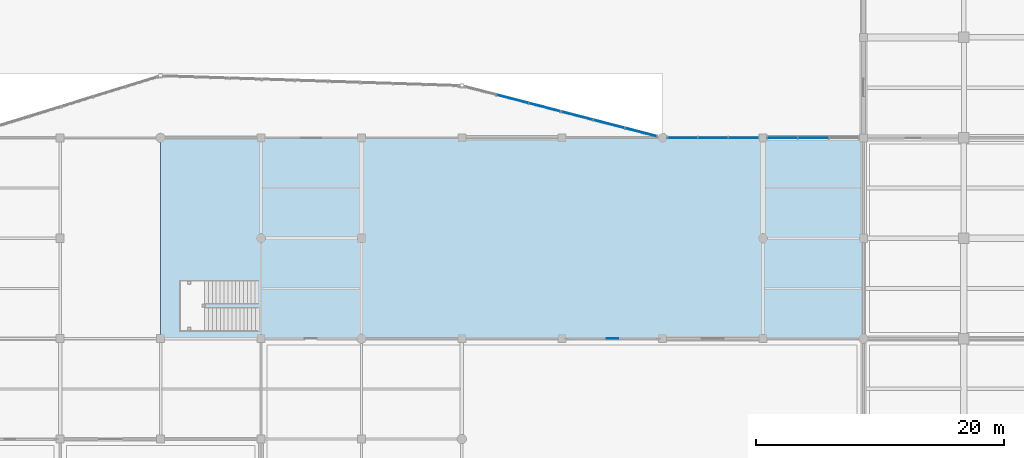
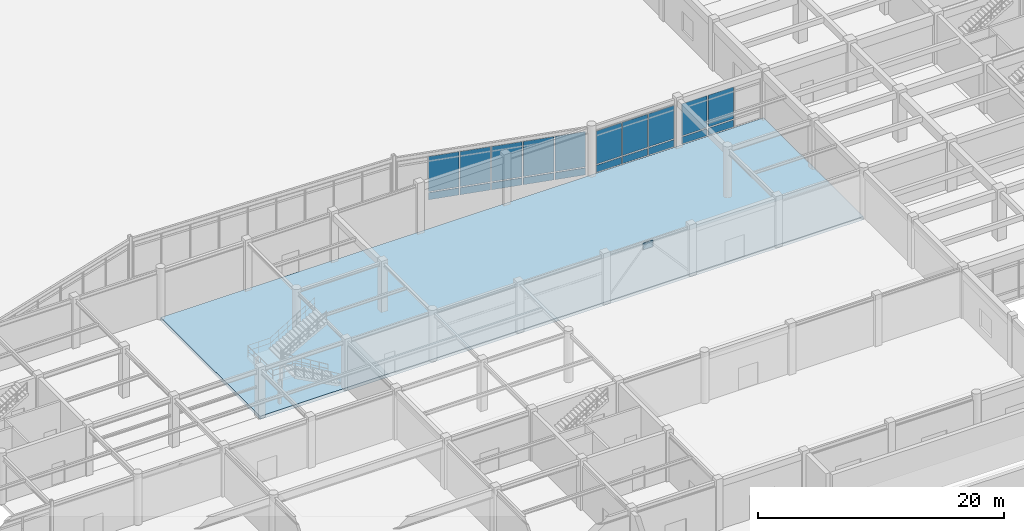
# One storey, part 52 of 99: 21 plates, 1 slab, 4 elements without a shape of their own.
"""IFC4 building model written with IfcOpenShell, lengths in metres."""

from ifc_helpers import new_model, si_unit, direction, frame, origin, origin_2d, place, context, subcontext, project, spatial, polyline, rectangle, outline, extrude, material, layer, layer_set, type_object, element, aggregate, save


model = new_model("IFC4")

# Units and contexts
model_context = context("Model", 3, precision=1e-05, world=origin(), true_north=direction((0.0, 1.0)))
body_context = subcontext(model_context, "Body", "Model", "MODEL_VIEW")
ifc_project = project(units=[si_unit("LENGTHUNIT", "METRE"), si_unit("AREAUNIT", "SQUARE_METRE"), si_unit("VOLUMEUNIT", "CUBIC_METRE"), si_unit("PLANEANGLEUNIT", "RADIAN"), si_unit("MASSUNIT", "GRAM", prefix="KILO")], contexts=[model_context])

# Site, building, storey
site_placement = place(None, origin())
site = spatial("IfcSite", under=ifc_project, at=site_placement, CompositionType="ELEMENT")
building_placement = place(site_placement, origin())
building = spatial("IfcBuilding", under=site, at=building_placement, Name="Vaudrelin Polytechnic", CompositionType="ELEMENT")
storey_placement = place(building_placement, origin())
storey = spatial("IfcBuildingStorey", under=building, at=storey_placement, Name="L00", CompositionType="ELEMENT", Elevation=0.0)

# Curtain wall, plates
ifc_material_1 = material(Name="Thermally broken anodised aluminium AA 6063-T6 and low-e triple glazing", Category="aluminium")
ifc_layer_1 = layer(ifc_material_1, 0.199951171875)
ifc_layer_set_1 = layer_set([ifc_layer_1], Name="Thermally broken anodised aluminium AA 6063-T6 and low-e triple glazing")
curtain_wall_type = type_object("IfcCurtainWallType", Name="CW-CW-WG", PredefinedType="USERDEFINED", material=ifc_layer_set_1)
curtain_wall_1_placement = place(storey_placement, origin())
curtain_wall_1 = element("IfcCurtainWall", 1, at=curtain_wall_1_placement, inside=storey, type_object=curtain_wall_type, Name="Curtain wall L00 CT_S_09", ObjectType="CURTAIN WALL", PredefinedType="USERDEFINED")
ifc_material_2 = material(Name="Insulated ceramic-frit spandrel glass panel", Category="glass")
ifc_layer_2 = layer(ifc_material_2, 0.052001953125)
ifc_layer_set_2 = layer_set([ifc_layer_2], Name="Insulated ceramic-frit spandrel glass panel")
plate_type_1 = type_object("IfcPlateType", Name="PLT-GLZ-SPAND", PredefinedType="CURTAIN_PANEL", material=ifc_layer_set_2)
plate_1_placement = place(storey_placement, frame((115.007080078125, 48.60009765625, 0.08984375), z_axis=(0.0, 0.0, 1.0), x_axis=(1.0, 0.0, 0.0)))
plate_1 = element("IfcPlate", 2, at=plate_1_placement, type_object=plate_type_1, Name="CT_S_09 spandrel panel 1", PredefinedType="CURTAIN_PANEL", context=body_context, shape_type="SweptSolid", body=[
    extrude(rectangle(XDim=2.367919921875, YDim=0.052001953125, at=origin_2d()), origin(), (0.0, 0.0, 1.0), 0.699951171875),
])
plate_2_placement = place(storey_placement, frame((117.47509765625, 48.60009765625, 0.08984375), z_axis=(0.0, 0.0, 1.0), x_axis=(1.0, 0.0, 0.0)))
plate_2 = element("IfcPlate", 3, at=plate_2_placement, type_object=plate_type_1, Name="CT_S_09 spandrel panel 2", PredefinedType="CURTAIN_PANEL", context=body_context, shape_type="SweptSolid", body=[
    extrude(rectangle(XDim=2.367919921875, YDim=0.052001953125, at=origin_2d()), origin(), (0.0, 0.0, 1.0), 0.699951171875),
])
plate_3_placement = place(storey_placement, frame((119.943115234375, 48.60009765625, 0.08984375), z_axis=(0.0, 0.0, 1.0), x_axis=(1.0, 0.0, 0.0)))
plate_3 = element("IfcPlate", 4, at=plate_3_placement, type_object=plate_type_1, Name="CT_S_09 spandrel panel 3", PredefinedType="CURTAIN_PANEL", context=body_context, shape_type="SweptSolid", body=[
    extrude(rectangle(XDim=2.367919921875, YDim=0.052001953125, at=origin_2d()), origin(), (0.0, 0.0, 1.0), 0.699951171875),
])

curtain_wall_2_placement = place(storey_placement, origin())
curtain_wall_2 = element("IfcCurtainWall", 5, at=curtain_wall_2_placement, inside=storey, type_object=curtain_wall_type, Name="Curtain wall L00 CT_S_10", ObjectType="CURTAIN WALL", PredefinedType="USERDEFINED")
plate_4_placement = place(storey_placement, frame((123.065185546875, 48.60009765625, 0.08984375), z_axis=(0.0, 0.0, 1.0), x_axis=(1.0, 0.0, 0.0)))
plate_4 = element("IfcPlate", 6, at=plate_4_placement, type_object=plate_type_1, Name="CT_S_10 spandrel panel 1", PredefinedType="CURTAIN_PANEL", context=body_context, shape_type="SweptSolid", body=[
    extrude(rectangle(XDim=2.384765625, YDim=0.052001953125, at=origin_2d()), origin(), (0.0, 0.0, 1.0), 0.699951171875),
])
plate_5_placement = place(storey_placement, frame((125.550048828125, 48.60009765625, 0.08984375), z_axis=(0.0, 0.0, 1.0), x_axis=(1.0, 0.0, 0.0)))
plate_5 = element("IfcPlate", 7, at=plate_5_placement, type_object=plate_type_1, Name="CT_S_10 spandrel panel 2", PredefinedType="CURTAIN_PANEL", context=body_context, shape_type="SweptSolid", body=[
    extrude(rectangle(XDim=2.384765625, YDim=0.052001953125, at=origin_2d()), origin(), (0.0, 0.0, 1.0), 0.699951171875),
])

curtain_wall_3_placement = place(storey_placement, origin())
curtain_wall_3 = element("IfcCurtainWall", 8, at=curtain_wall_3_placement, inside=storey, type_object=curtain_wall_type, Name="Curtain wall L00 CT_OR1_3_0", ObjectType="CURTAIN WALL", PredefinedType="USERDEFINED")
plate_6_placement = place(storey_placement, frame((101.311767578125, 51.73388671875, 0.08984375), z_axis=(0.0, 0.0, 1.0), x_axis=(0.967999032288, -0.250953927026, 0.0)))
plate_6 = element("IfcPlate", 9, at=plate_6_placement, type_object=plate_type_1, Name="CT_OR1_3_0 spandrel panel 2", PredefinedType="CURTAIN_PANEL", context=body_context, shape_type="SweptSolid", body=[
    extrude(rectangle(XDim=2.570068359375, YDim=0.052001953125, at=origin_2d()), origin(), (0.0, 0.0, 1.0), 0.699951171875),
])
plate_7_placement = place(storey_placement, frame((103.896484375, 51.06396484375, 0.08984375), z_axis=(0.0, 0.0, 1.0), x_axis=(0.967999032288, -0.250953927026, 0.0)))
plate_7 = element("IfcPlate", 10, at=plate_7_placement, type_object=plate_type_1, Name="CT_OR1_3_0 spandrel panel 3", PredefinedType="CURTAIN_PANEL", context=body_context, shape_type="SweptSolid", body=[
    extrude(rectangle(XDim=2.570068359375, YDim=0.052001953125, at=origin_2d()), origin(), (0.0, 0.0, 1.0), 0.699951171875),
])

curtain_wall_4_placement = place(storey_placement, origin())
curtain_wall_4 = element("IfcCurtainWall", 11, at=curtain_wall_4_placement, inside=storey, type_object=curtain_wall_type, Name="Curtain wall L00 CT_OR1_3_1", ObjectType="CURTAIN WALL", PredefinedType="USERDEFINED")
plate_8_placement = place(storey_placement, frame((106.48095703125, 50.393798828125, 0.08984375), z_axis=(0.0, 0.0, 1.0), x_axis=(0.967996785844, -0.250962592023, 0.0)))
plate_8 = element("IfcPlate", 12, at=plate_8_placement, type_object=plate_type_1, Name="CT_OR1_3_1 spandrel panel 1", PredefinedType="CURTAIN_PANEL", context=body_context, shape_type="SweptSolid", body=[
    extrude(rectangle(XDim=2.570068359375, YDim=0.052001953125, at=origin_2d()), origin(), (0.0, 0.0, 1.0), 0.699951171875),
])
plate_9_placement = place(storey_placement, frame((109.065673828125, 49.723876953125, 0.08984375), z_axis=(0.0, 0.0, 1.0), x_axis=(0.967996785844, -0.250962592023, 0.0)))
plate_9 = element("IfcPlate", 13, at=plate_9_placement, type_object=plate_type_1, Name="CT_OR1_3_1 spandrel panel 2", PredefinedType="CURTAIN_PANEL", context=body_context, shape_type="SweptSolid", body=[
    extrude(rectangle(XDim=2.570068359375, YDim=0.052001953125, at=origin_2d()), origin(), (0.0, 0.0, 1.0), 0.699951171875),
])
plate_10_placement = place(storey_placement, frame((111.650390625, 49.0537109375, 0.08984375), z_axis=(0.0, 0.0, 1.0), x_axis=(0.967996785844, -0.250962592023, 0.0)))
plate_10 = element("IfcPlate", 14, at=plate_10_placement, type_object=plate_type_1, Name="CT_OR1_3_1 spandrel panel 3", PredefinedType="CURTAIN_PANEL", context=body_context, shape_type="SweptSolid", body=[
    extrude(rectangle(XDim=2.570068359375, YDim=0.052001953125, at=origin_2d()), origin(), (0.0, 0.0, 1.0), 0.699951171875),
])

# Plate
ifc_material_3 = material(Name="Triple low-e argon insulated glazing unit", Category="glass")
ifc_layer_3 = layer(ifc_material_3, 0.0439453125)
ifc_layer_set_3 = layer_set([ifc_layer_3], Name="Triple low-e argon insulated glazing unit")
plate_type_2 = type_object("IfcPlateType", Name="PLT-GLZ-TRIPLE", PredefinedType="CURTAIN_PANEL", material=ifc_layer_set_3)
plate_11_placement = place(storey_placement, frame((115.007080078125, 48.60009765625, 0.89990234375), z_axis=(0.0, 0.0, 1.0), x_axis=(1.0, 0.0, 0.0)))
plate_11 = element("IfcPlate", 15, at=plate_11_placement, type_object=plate_type_2, Name="CT_S_09 vision panel 1", PredefinedType="CURTAIN_PANEL", context=body_context, shape_type="SweptSolid", body=[
    extrude(rectangle(XDim=2.367919921875, YDim=0.0439453125, at=origin_2d()), origin(), (0.0, 0.0, 1.0), 3.2890625),
])

plate_12_placement = place(storey_placement, frame((117.47509765625, 48.60009765625, 0.89990234375), z_axis=(0.0, 0.0, 1.0), x_axis=(1.0, 0.0, 0.0)))
plate_12 = element("IfcPlate", 16, at=plate_12_placement, type_object=plate_type_2, Name="CT_S_09 vision panel 2", PredefinedType="CURTAIN_PANEL", context=body_context, shape_type="SweptSolid", body=[
    extrude(rectangle(XDim=2.367919921875, YDim=0.0439453125, at=origin_2d()), origin(), (0.0, 0.0, 1.0), 3.2890625),
])

plate_13_placement = place(storey_placement, frame((119.943115234375, 48.60009765625, 0.89990234375), z_axis=(0.0, 0.0, 1.0), x_axis=(1.0, 0.0, 0.0)))
plate_13 = element("IfcPlate", 17, at=plate_13_placement, type_object=plate_type_2, Name="CT_S_09 vision panel 3", PredefinedType="CURTAIN_PANEL", context=body_context, shape_type="SweptSolid", body=[
    extrude(rectangle(XDim=2.367919921875, YDim=0.0439453125, at=origin_2d()), origin(), (0.0, 0.0, 1.0), 3.2890625),
])

aggregate(curtain_wall_1, [plate_1, plate_11, plate_2, plate_12, plate_3, plate_13])

plate_14_placement = place(storey_placement, frame((123.065185546875, 48.60009765625, 0.89990234375), z_axis=(0.0, 0.0, 1.0), x_axis=(1.0, 0.0, 0.0)))
plate_14 = element("IfcPlate", 18, at=plate_14_placement, type_object=plate_type_2, Name="CT_S_10 vision panel 1", PredefinedType="CURTAIN_PANEL", context=body_context, shape_type="SweptSolid", body=[
    extrude(rectangle(XDim=2.384765625, YDim=0.0439453125, at=origin_2d()), origin(), (0.0, 0.0, 1.0), 3.172119140625),
])

plate_15_placement = place(storey_placement, frame((125.550048828125, 48.60009765625, 0.89990234375), z_axis=(0.0, 0.0, 1.0), x_axis=(1.0, 0.0, 0.0)))
plate_15 = element("IfcPlate", 19, at=plate_15_placement, type_object=plate_type_2, Name="CT_S_10 vision panel 2", PredefinedType="CURTAIN_PANEL", context=body_context, shape_type="SweptSolid", body=[
    extrude(rectangle(XDim=2.384765625, YDim=0.0439453125, at=origin_2d()), origin(), (0.0, 0.0, 1.0), 3.172119140625),
])

aggregate(curtain_wall_2, [plate_4, plate_14, plate_5, plate_15])

plate_16_placement = place(storey_placement, frame((101.311767578125, 51.73388671875, 0.89990234375), z_axis=(0.0, 0.0, 1.0), x_axis=(0.967999032288, -0.250953927026, 0.0)))
plate_16 = element("IfcPlate", 20, at=plate_16_placement, type_object=plate_type_2, Name="CT_OR1_3_0 vision panel 2", PredefinedType="CURTAIN_PANEL", context=body_context, shape_type="SweptSolid", body=[
    extrude(rectangle(XDim=2.570068359375, YDim=0.0439453125, at=origin_2d()), origin(), (0.0, 0.0, 1.0), 3.489990234375),
])

plate_17_placement = place(storey_placement, frame((103.896484375, 51.06396484375, 0.89990234375), z_axis=(0.0, 0.0, 1.0), x_axis=(0.967999032288, -0.250953927026, 0.0)))
plate_17 = element("IfcPlate", 21, at=plate_17_placement, type_object=plate_type_2, Name="CT_OR1_3_0 vision panel 3", PredefinedType="CURTAIN_PANEL", context=body_context, shape_type="SweptSolid", body=[
    extrude(rectangle(XDim=2.570068359375, YDim=0.0439453125, at=origin_2d()), origin(), (0.0, 0.0, 1.0), 3.489990234375),
])

aggregate(curtain_wall_3, [plate_6, plate_16, plate_7, plate_17])

plate_18_placement = place(storey_placement, frame((106.48095703125, 50.393798828125, 0.89990234375), z_axis=(0.0, 0.0, 1.0), x_axis=(0.967996785844, -0.250962592023, 0.0)))
plate_18 = element("IfcPlate", 22, at=plate_18_placement, type_object=plate_type_2, Name="CT_OR1_3_1 vision panel 1", PredefinedType="CURTAIN_PANEL", context=body_context, shape_type="SweptSolid", body=[
    extrude(rectangle(XDim=2.570068359375, YDim=0.0439453125, at=origin_2d()), origin(), (0.0, 0.0, 1.0), 3.489990234375),
])

plate_19_placement = place(storey_placement, frame((109.065673828125, 49.723876953125, 0.89990234375), z_axis=(0.0, 0.0, 1.0), x_axis=(0.967996785844, -0.250962592023, 0.0)))
plate_19 = element("IfcPlate", 23, at=plate_19_placement, type_object=plate_type_2, Name="CT_OR1_3_1 vision panel 2", PredefinedType="CURTAIN_PANEL", context=body_context, shape_type="SweptSolid", body=[
    extrude(rectangle(XDim=2.570068359375, YDim=0.0439453125, at=origin_2d()), origin(), (0.0, 0.0, 1.0), 3.489990234375),
])

plate_20_placement = place(storey_placement, frame((111.650390625, 49.0537109375, 0.89990234375), z_axis=(0.0, 0.0, 1.0), x_axis=(0.967996785844, -0.250962592023, 0.0)))
plate_20 = element("IfcPlate", 24, at=plate_20_placement, type_object=plate_type_2, Name="CT_OR1_3_1 vision panel 3", PredefinedType="CURTAIN_PANEL", context=body_context, shape_type="SweptSolid", body=[
    extrude(rectangle(XDim=2.570068359375, YDim=0.0439453125, at=origin_2d()), origin(), (0.0, 0.0, 1.0), 3.489990234375),
])

aggregate(curtain_wall_4, [plate_8, plate_18, plate_9, plate_19, plate_10, plate_20])

ifc_material_4 = material(Name="Steel CSA G40.21 350WT", Category="steel")
ifc_layer_4 = layer(ifc_material_4, 0.035888671875)
ifc_layer_set_4 = layer_set([ifc_layer_4], Name="Steel CSA G40.21 350WT")
plate_type_3 = type_object("IfcPlateType", Name="PLT-GP-08", PredefinedType="USERDEFINED", material=ifc_layer_set_4)
plate_21_placement = place(storey_placement, frame((109.35009765625, 32.39990234375, 3.944091796875), z_axis=(0.0, 0.0, 1.0), x_axis=(1.0, 0.0, 0.0)))
element("IfcPlate", 25, at=plate_21_placement, inside=storey, type_object=plate_type_3, Name="Braced-frame apex gusset plate GP-BF07", ObjectType="GUSSET PLATE", PredefinedType="USERDEFINED", context=body_context, shape_type="SweptSolid", body=[
    extrude(rectangle(XDim=0.949951171875, YDim=0.035888671875, at=origin_2d()), origin(), (0.0, 0.0, 1.0), 0.64990234375),
])

# Slab
ifc_material_5 = material(Name="Concrete 35 MPa", Category="concrete")
ifc_layer_5 = layer(ifc_material_5, 0.320068359375)
ifc_layer_set_5 = layer_set([ifc_layer_5], Name="Concrete 35 MPa")
slab_type = type_object("IfcSlabType", Name="SLB-SL-F320", PredefinedType="FLOOR", material=ifc_layer_set_5)
slab_placement = place(storey_placement, frame((0.0, 0.0, -0.320068359375)))
element("IfcSlab", 26, at=slab_placement, inside=storey, type_object=slab_type, Name="L00 floor slab V6-EAST", PredefinedType="FLOOR", context=body_context, shape_type="SweptSolid", body=[
    extrude(outline(polyline([(72.89990234375, 32.39990234375), (129.60009765625, 32.39990234375), (129.60009765625, 48.60009765625), (72.89990234375, 48.60009765625), (72.89990234375, 32.39990234375)])), origin(), (0.0, 0.0, 1.0), 0.320068359375),
])

save(model, "model.ifc")
